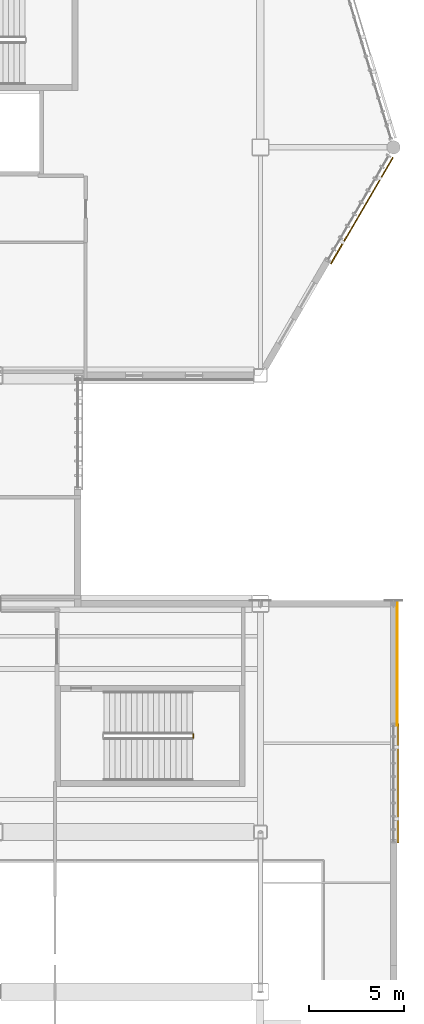
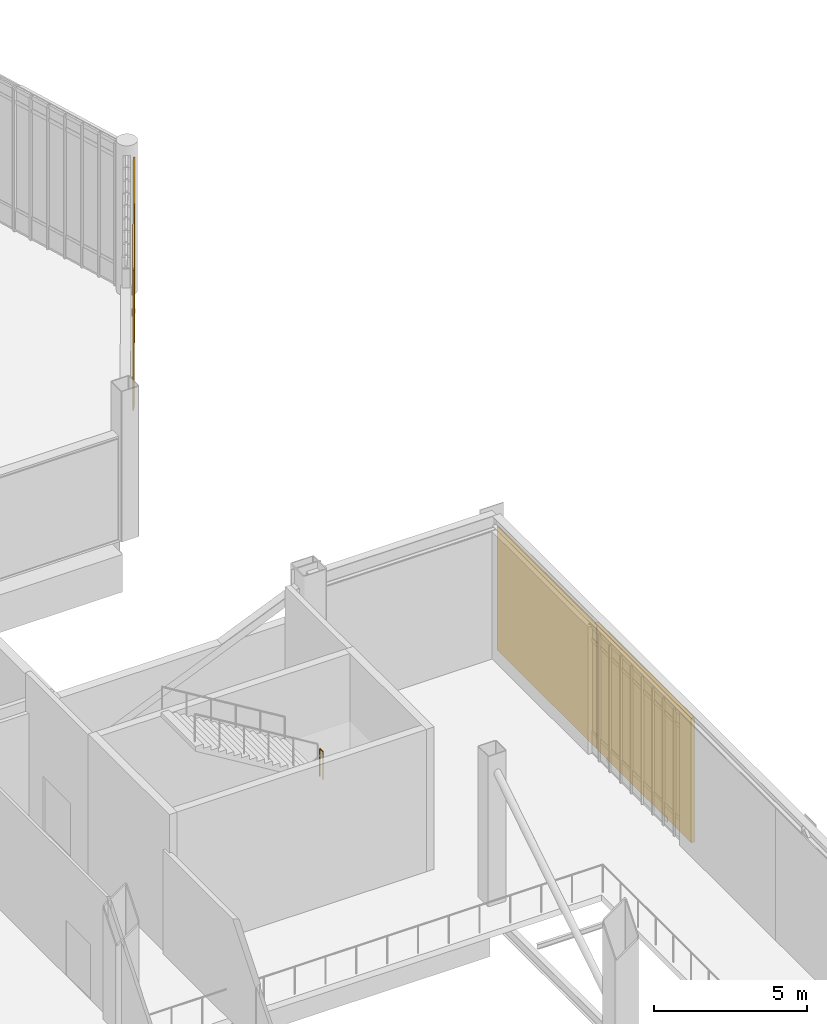
# One storey, part 134 of 135: 2 shading devices, 1 covering, 1 railing.
"""IFC4 building model written with IfcOpenShell, lengths in metres."""

from ifc_helpers import new_model, si_unit, direction, frame, origin, origin_2d, place, context, subcontext, project, spatial, rectangle, circle, extrude, material, layer, layer_set, type_object, element, save


model = new_model("IFC4")

# Units and contexts
model_context = context("Model", 3, precision=1e-05, world=origin(), true_north=direction((0.0, 1.0)))
body_context = subcontext(model_context, "Body", "Model", "MODEL_VIEW")
ifc_project = project(units=[si_unit("LENGTHUNIT", "METRE"), si_unit("AREAUNIT", "SQUARE_METRE"), si_unit("VOLUMEUNIT", "CUBIC_METRE"), si_unit("PLANEANGLEUNIT", "RADIAN"), si_unit("MASSUNIT", "GRAM", prefix="KILO")], contexts=[model_context])

# Site, building, storey
site_placement = place(None, origin())
site = spatial("IfcSite", under=ifc_project, at=site_placement, CompositionType="ELEMENT")
building_placement = place(site_placement, origin())
building = spatial("IfcBuilding", under=site, at=building_placement, Name="Larkvane Passage Sports Hall", CompositionType="ELEMENT")
storey_placement = place(building_placement, frame((0.0, 0.0, 10.800048828125)))
storey = spatial("IfcBuildingStorey", under=building, at=storey_placement, Name="L02", CompositionType="ELEMENT", Elevation=10.800048828125)

# Covering
ifc_material_1 = material(Name="Perforated anodised aluminium 5052-H32", Category="aluminium")
ifc_layer_1 = layer(ifc_material_1, 0.050048828125)
ifc_layer_set_1 = layer_set([ifc_layer_1], Name="Perforated anodised aluminium 5052-H32")
covering_type = type_object("IfcCoveringType", Name="COV-MESH-VEIL", PredefinedType="CLADDING", material=ifc_layer_set_1)
covering_placement = place(storey_placement, frame((152.797607421875, 48.45703125, 0.0751953125), z_axis=(0.0, 0.0, 1.0), x_axis=(0.0, -1.0, 0.0)))
element("IfcCovering", 1, at=covering_placement, inside=storey, type_object=covering_type, Name="Perforated cladding cassette L02-120", PredefinedType="CLADDING", context=body_context, shape_type="SweptSolid", body=[
    extrude(rectangle(XDim=6.516845703125, YDim=0.050048828125, at=origin_2d()), origin(), (0.0, 0.0, 1.0), 4.929931640625),
])

# Railing
ifc_material_2 = material(Name="Steel S355JR", Category="steel")
railing_type = type_object("IfcRailingType", Name="RL-GUARD-1120", PredefinedType="GUARDRAIL", material=ifc_material_2)
railing_placement = place(storey_placement, frame((142.070068359375, 44.550048828125, 3.0)))
element("IfcRailing", 2, at=railing_placement, inside=storey, type_object=railing_type, Name="L02 ST-07 stair guard 2", PredefinedType="GUARDRAIL", context=body_context, shape_type="SweptSolid", body=[
    extrude(circle(Radius=0.02392578125, at=origin_2d()), frame((0.0, 0.001953125, 1.09619140625), z_axis=(0.0, 1.0, 0.0), x_axis=(-1.0, 0.0, 0.0)), (0.0, 0.0, 1.0), 0.196044921875),
    extrude(circle(Radius=0.02099609375, at=origin_2d()), origin(), (0.0, 0.0, 1.0), 1.072021484375),
    extrude(circle(Radius=0.02099609375, at=origin_2d()), frame((0.0, 0.199951171875, 0.0)), (0.0, 0.0, 1.0), 1.072021484375),
])

# Shading devices
ifc_material_3 = material(Name="Extruded aluminium 6063-T6", Category="aluminium")
ifc_layer_2 = layer(ifc_material_3, 0.1201171875)
ifc_layer_set_2 = layer_set([ifc_layer_2], Name="Extruded aluminium 6063-T6")
shading_device_type_1 = type_object("IfcShadingDeviceType", Name="SHD-LOUVRE-STORM", PredefinedType="JALOUSIE", material=ifc_layer_set_2)
shading_device_1_placement = place(storey_placement, frame((152.840087890625, 42.17138671875, 0.06005859375), z_axis=(0.0, 0.0, 1.0), x_axis=(0.0, -1.0, 0.0)))
element("IfcShadingDevice", 3, at=shading_device_1_placement, inside=storey, type_object=shading_device_type_1, Name="Solar veil screen L02-051", PredefinedType="JALOUSIE", context=body_context, shape_type="SweptSolid", body=[
    extrude(rectangle(XDim=6.28564453125, YDim=0.1201171875, at=origin_2d()), origin(), (0.0, 0.0, 1.0), 4.9599609375),
])
ifc_layer_3 = layer(ifc_material_1, 0.06005859375)
ifc_layer_set_3 = layer_set([ifc_layer_3], Name="Perforated anodised aluminium 5052-H32")
shading_device_type_2 = type_object("IfcShadingDeviceType", Name="SHD-VEIL-PERF", PredefinedType="SHUTTER", material=ifc_layer_set_3)
shading_device_2_placement = place(storey_placement, frame((150.937744140625, 72.274169921875, 0.059814453125), z_axis=(0.0, 0.0, 1.0), x_axis=(-0.503871025531, -0.863778900894, 0.0)))
element("IfcShadingDevice", 4, at=shading_device_2_placement, inside=storey, type_object=shading_device_type_2, Name="Solar veil screen L02-049", PredefinedType="SHUTTER", context=body_context, shape_type="SweptSolid", body=[
    extrude(rectangle(XDim=6.471435546875, YDim=0.06005859375, at=origin_2d()), origin(), (0.0, 0.0, 1.0), 5.580078125),
])

save(model, "model.ifc")
